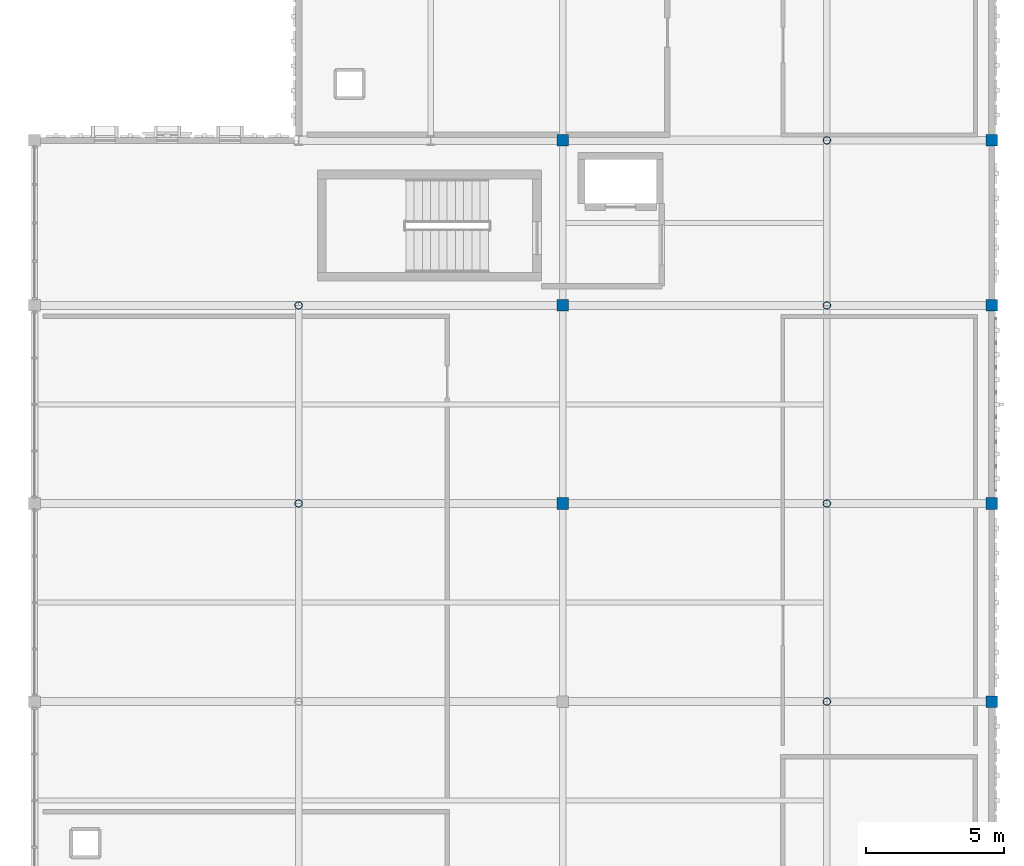
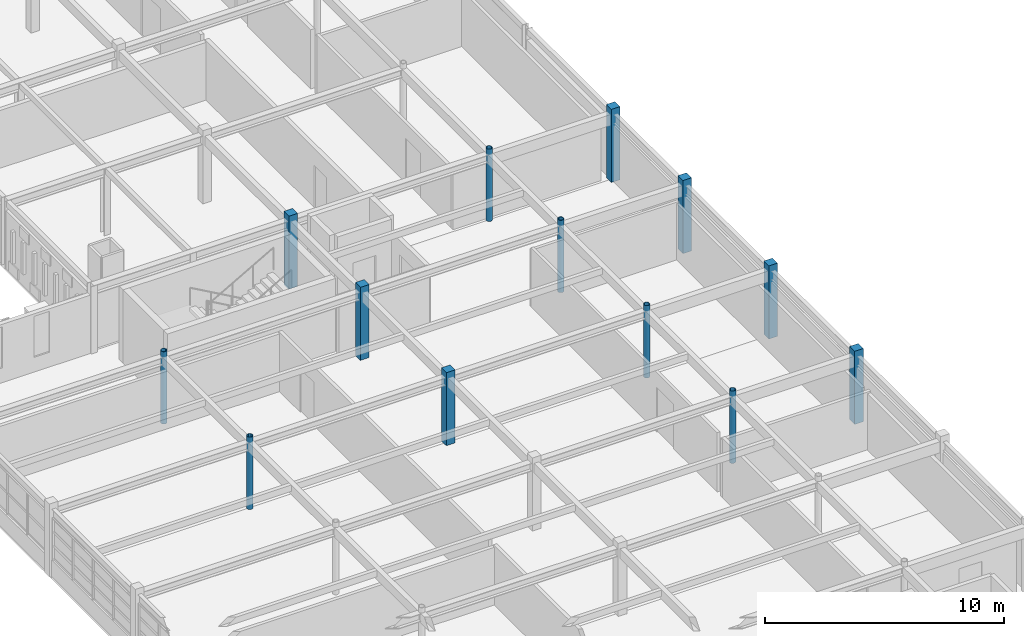
# One storey, part 6 of 46: 13 columns.
"""IFC4 building model written with IfcOpenShell, lengths in metres."""

from ifc_helpers import new_model, si_unit, direction, frame, origin, origin_2d, place, context, subcontext, project, spatial, rectangle, hollow_circle, extrude, material, material_profile, profile_set, type_object, element, save


model = new_model("IFC4")

# Units and contexts
model_context = context("Model", 3, precision=1e-05, world=origin(), true_north=direction((0.0, 1.0)))
body_context = subcontext(model_context, "Body", "Model", "MODEL_VIEW")
ifc_project = project(units=[si_unit("LENGTHUNIT", "METRE"), si_unit("AREAUNIT", "SQUARE_METRE"), si_unit("VOLUMEUNIT", "CUBIC_METRE"), si_unit("PLANEANGLEUNIT", "RADIAN"), si_unit("MASSUNIT", "GRAM", prefix="KILO")], contexts=[model_context])

# Site, building, storey
site_placement = place(None, origin())
site = spatial("IfcSite", under=ifc_project, at=site_placement, CompositionType="ELEMENT")
building_placement = place(site_placement, origin())
building = spatial("IfcBuilding", under=site, at=building_placement, Name="Nzembalo Square Collegiate School", CompositionType="ELEMENT")
storey_placement = place(building_placement, frame((0.0, 0.0, 17.340087890625)))
storey = spatial("IfcBuildingStorey", under=building, at=storey_placement, Name="L04", CompositionType="ELEMENT", Elevation=17.340087890625)

# Columns
ifc_material_1 = material(Name="Glulam GL28h", Category="wood")
ifc_material_profile_1 = material_profile(ifc_material_1, rectangle(XDim=0.419921875, YDim=0.419921875, at=origin_2d()), Name="GL28h 420x420")
ifc_profile_set_1 = profile_set([ifc_material_profile_1], Name="Glulam GL28h")
column_type_1 = type_object("IfcColumnType", Name="C06", PredefinedType="COLUMN", material=ifc_profile_set_1)
for number, where, z_axis, x_axis, name in (
    (1, (150.0, 37.199951171875, 0.0), (0.0, 0.0, 1.0), (1.0, 0.0, 0.0), "Column C06 L04 22/F"),
    (2, (150.0, 44.39990234375, 0.0), (0.0, 0.0, 1.0), (1.0, 0.0, 0.0), "Column C06 L04 22/G"),
    (3, (150.0, 50.39990234375, 0.0), (0.0, 0.0, 1.0), (1.0, 0.0, 0.0), "Column C06 L04 22/H"),
    (4, (165.60009765625, 30.0, 0.0), (0.0, 0.0, 1.0), (1.0, 0.0, 0.0), "Column C06 L04 24/E"),
    (5, (165.60009765625, 37.199951171875, 0.0), (0.0, 0.0, 1.0), (1.0, 0.0, 0.0), "Column C06 L04 24/F"),
    (6, (165.60009765625, 44.39990234375, 0.0), (0.0, 0.0, 1.0), (1.0, 0.0, 0.0), "Column C06 L04 24/G"),
    (7, (165.60009765625, 50.39990234375, 0.0), (0.0, 0.0, 1.0), (1.0, 0.0, 0.0), "Column C06 L04 24/H"),
):
    element("IfcColumn", number, at=place(storey_placement, frame(where, z_axis=z_axis, x_axis=x_axis)), inside=storey, type_object=column_type_1, Name=name, PredefinedType="COLUMN", context=body_context, shape_type="SweptSolid", body=[
        extrude(rectangle(XDim=0.419921875, YDim=0.419921875, at=origin_2d()), origin(), (0.0, 0.0, 1.0), 3.739990234375),
    ])
ifc_material_2 = material(Name="Steel S355", Category="steel")
ifc_material_profile_2 = material_profile(ifc_material_2, hollow_circle(Radius=0.136474609375, WallThickness=0.011962890625, at=origin_2d()), Name="CHS 273x12")
ifc_profile_set_2 = profile_set([ifc_material_profile_2], Name="Steel S355")
column_type_2 = type_object("IfcColumnType", Name="C09", PredefinedType="COLUMN", material=ifc_profile_set_2)
for number, where, z_axis, x_axis, name in (
    (8, (140.39990234375, 37.199951171875, 0.0), (0.0, 0.0, 1.0), (1.0, 0.0, 0.0), "Column C09 L04 21/F"),
    (9, (140.39990234375, 44.39990234375, 0.0), (0.0, 0.0, 1.0), (1.0, 0.0, 0.0), "Column C09 L04 21/G"),
    (10, (159.60009765625, 30.0, 0.0), (0.0, 0.0, 1.0), (1.0, 0.0, 0.0), "Column C09 L04 23/E"),
    (11, (159.60009765625, 37.199951171875, 0.0), (0.0, 0.0, 1.0), (1.0, 0.0, 0.0), "Column C09 L04 23/F"),
    (12, (159.60009765625, 44.39990234375, 0.0), (0.0, 0.0, 1.0), (1.0, 0.0, 0.0), "Column C09 L04 23/G"),
    (13, (159.60009765625, 50.39990234375, 0.0), (0.0, 0.0, 1.0), (1.0, 0.0, 0.0), "Column C09 L04 23/H"),
):
    element("IfcColumn", number, at=place(storey_placement, frame(where, z_axis=z_axis, x_axis=x_axis)), inside=storey, type_object=column_type_2, Name=name, PredefinedType="COLUMN", context=body_context, shape_type="SweptSolid", body=[
        extrude(hollow_circle(Radius=0.136474609375, WallThickness=0.011962890625, at=origin_2d()), origin(), (0.0, 0.0, 1.0), 3.699951171875),
    ])

save(model, "model.ifc")
